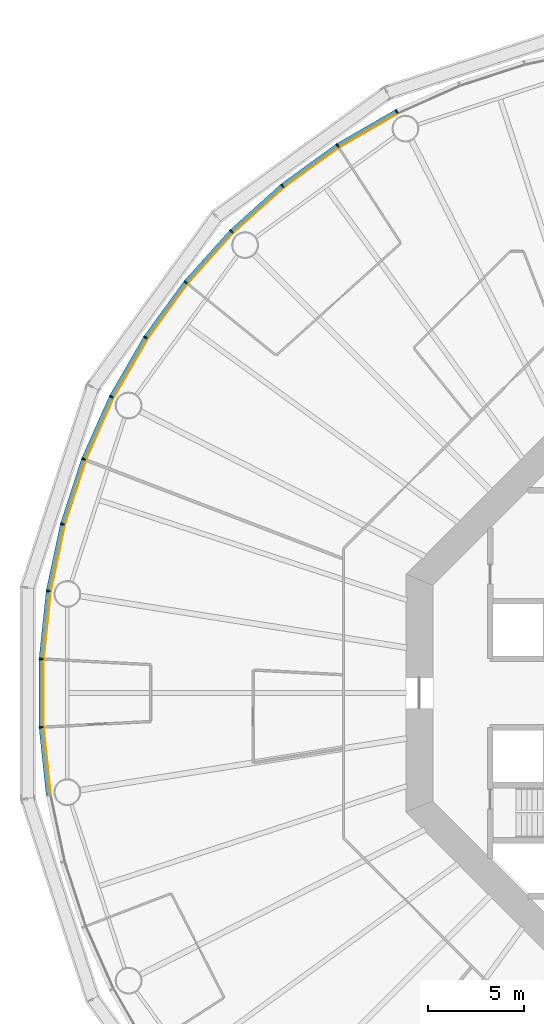
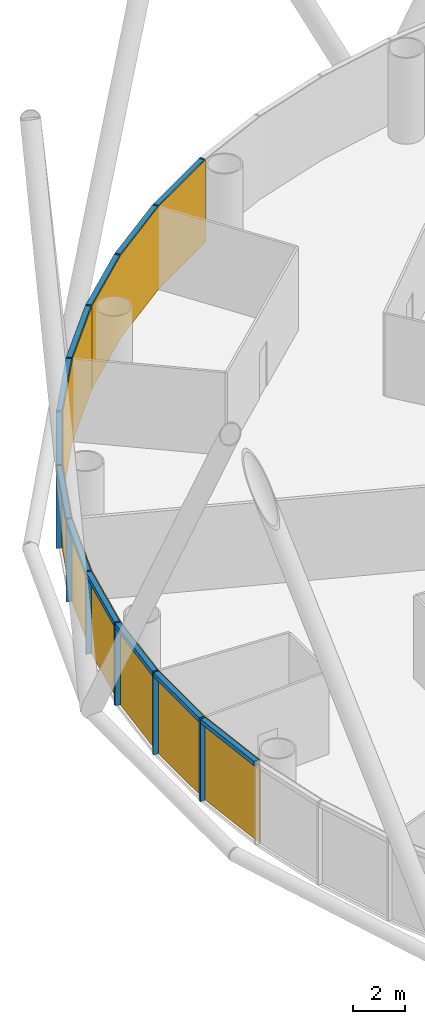
# One storey, part 9 of 13: 24 members, 4 curtain walls.
"""IFC4 building model written with IfcOpenShell, lengths in metres."""

from ifc_helpers import new_model, si_unit, direction, frame, origin, origin_2d, place, context, subcontext, project, spatial, polyline, rectangle, outline, extrude, material, layer, layer_set, material_profile, profile_set, type_object, element, aggregate, save


model = new_model("IFC4")

# Units and contexts
model_context = context("Model", 3, precision=1e-05, world=origin(), true_north=direction((0.0, 1.0)))
body_context = subcontext(model_context, "Body", "Model", "MODEL_VIEW")
ifc_project = project(units=[si_unit("LENGTHUNIT", "METRE"), si_unit("AREAUNIT", "SQUARE_METRE"), si_unit("VOLUMEUNIT", "CUBIC_METRE"), si_unit("PLANEANGLEUNIT", "RADIAN"), si_unit("MASSUNIT", "GRAM", prefix="KILO")], contexts=[model_context])

# Member
ifc_material_1 = material(Name="Anodised aluminium", Category="aluminium")
ifc_material_profile_1 = material_profile(ifc_material_1, rectangle(XDim=0.074951171875, YDim=0.219970703125, at=origin_2d()), Name="Mullion 75 x 220 mm anodised aluminium")
ifc_profile_set_1 = profile_set([ifc_material_profile_1], Name="Anodised aluminium")
member_type_1 = type_object("IfcMemberType", Name="Mullion 75 x 220 mm anodised aluminium", PredefinedType="MULLION", material=ifc_profile_set_1)
site_placement = place(None, origin())
building_placement = place(site_placement, origin())
storey_placement = place(building_placement, frame((0.0, 0.0, 54.0)))
member_1_placement = place(storey_placement, frame((74.514404296875, 110.392333984375, 0.0), z_axis=(0.0, 0.0, 1.0), x_axis=(-0.891006524188, -0.45399049974, 0.0)))
member_1 = element("IfcMember", 1, at=member_1_placement, type_object=member_type_1, Name="MULLION L11-18", PredefinedType="MULLION", context=body_context, shape_type="SweptSolid", body=[
    extrude(rectangle(XDim=0.074951171875, YDim=0.219970703125, at=origin_2d()), origin(), (0.0, 0.0, 1.0), 3.85009765625),
])

member_2_placement = place(storey_placement, frame((71.42236328125, 108.60693359375, 0.0), z_axis=(0.0, 0.0, 1.0), x_axis=(-0.838670567945, -0.544639035015, 0.0)))
member_2 = element("IfcMember", 2, at=member_2_placement, type_object=member_type_1, Name="MULLION L11-19", PredefinedType="MULLION", context=body_context, shape_type="SweptSolid", body=[
    extrude(rectangle(XDim=0.074951171875, YDim=0.219970703125, at=origin_2d()), origin(), (0.0, 0.0, 1.0), 3.85009765625),
])

member_3_placement = place(storey_placement, frame((68.533935546875, 106.508544921875, 0.0), z_axis=(0.0, 0.0, 1.0), x_axis=(-0.777145961457, -0.62932039105, 0.0)))
member_3 = element("IfcMember", 3, at=member_3_placement, type_object=member_type_1, Name="MULLION L11-20", PredefinedType="MULLION", context=body_context, shape_type="SweptSolid", body=[
    extrude(rectangle(XDim=0.074951171875, YDim=0.219970703125, at=origin_2d()), origin(), (0.0, 0.0, 1.0), 3.85009765625),
])

member_4_placement = place(storey_placement, frame((65.880615234375, 104.119384765625, 0.0), z_axis=(0.0, 0.0, 1.0), x_axis=(-0.707106781187, -0.707106781187, 0.0)))
member_4 = element("IfcMember", 4, at=member_4_placement, type_object=member_type_1, Name="MULLION L11-21", PredefinedType="MULLION", context=body_context, shape_type="SweptSolid", body=[
    extrude(rectangle(XDim=0.074951171875, YDim=0.219970703125, at=origin_2d()), origin(), (0.0, 0.0, 1.0), 3.85009765625),
])

member_5_placement = place(storey_placement, frame((63.491455078125, 101.466064453125, 0.0), z_axis=(0.0, 0.0, 1.0), x_axis=(-0.62932039105, -0.777145961457, 0.0)))
member_5 = element("IfcMember", 5, at=member_5_placement, type_object=member_type_1, Name="MULLION L11-22", PredefinedType="MULLION", context=body_context, shape_type="SweptSolid", body=[
    extrude(rectangle(XDim=0.074951171875, YDim=0.219970703125, at=origin_2d()), origin(), (0.0, 0.0, 1.0), 3.85009765625),
])

member_6_placement = place(storey_placement, frame((61.39306640625, 98.57763671875, 0.0), z_axis=(0.0, 0.0, 1.0), x_axis=(-0.544639035015, -0.838670567945, 0.0)))
member_6 = element("IfcMember", 6, at=member_6_placement, type_object=member_type_1, Name="MULLION L11-23", PredefinedType="MULLION", context=body_context, shape_type="SweptSolid", body=[
    extrude(rectangle(XDim=0.074951171875, YDim=0.219970703125, at=origin_2d()), origin(), (0.0, 0.0, 1.0), 3.85009765625),
])

member_7_placement = place(storey_placement, frame((59.607666015625, 95.485595703125, 0.0), z_axis=(0.0, 0.0, 1.0), x_axis=(-0.45399049974, -0.891006524188, 0.0)))
member_7 = element("IfcMember", 7, at=member_7_placement, type_object=member_type_1, Name="MULLION L11-24", PredefinedType="MULLION", context=body_context, shape_type="SweptSolid", body=[
    extrude(rectangle(XDim=0.074951171875, YDim=0.219970703125, at=origin_2d()), origin(), (0.0, 0.0, 1.0), 3.85009765625),
])

member_8_placement = place(storey_placement, frame((58.155517578125, 92.223876953125, 0.0), z_axis=(0.0, 0.0, 1.0), x_axis=(-0.358367949545, -0.933580426497, 0.0)))
member_8 = element("IfcMember", 8, at=member_8_placement, type_object=member_type_1, Name="MULLION L11-25", PredefinedType="MULLION", context=body_context, shape_type="SweptSolid", body=[
    extrude(rectangle(XDim=0.074951171875, YDim=0.219970703125, at=origin_2d()), origin(), (0.0, 0.0, 1.0), 3.85009765625),
])

member_9_placement = place(storey_placement, frame((57.05224609375, 88.828369140625, 0.0), z_axis=(0.0, 0.0, 1.0), x_axis=(-0.258819045103, -0.965925826289, 0.0)))
member_9 = element("IfcMember", 9, at=member_9_placement, type_object=member_type_1, Name="MULLION L11-26", PredefinedType="MULLION", context=body_context, shape_type="SweptSolid", body=[
    extrude(rectangle(XDim=0.074951171875, YDim=0.219970703125, at=origin_2d()), origin(), (0.0, 0.0, 1.0), 3.85009765625),
])

member_10_placement = place(storey_placement, frame((56.31005859375, 85.3359375, 0.0), z_axis=(0.0, 0.0, 1.0), x_axis=(-0.15643446504, -0.987688340595, 0.0)))
member_10 = element("IfcMember", 10, at=member_10_placement, type_object=member_type_1, Name="MULLION L11-27", PredefinedType="MULLION", context=body_context, shape_type="SweptSolid", body=[
    extrude(rectangle(XDim=0.074951171875, YDim=0.219970703125, at=origin_2d()), origin(), (0.0, 0.0, 1.0), 3.85009765625),
])

member_11_placement = place(storey_placement, frame((55.936767578125, 81.78515625, 0.0), z_axis=(0.0, 0.0, 1.0), x_axis=(-0.052335956243, -0.998629534755, 0.0)))
member_11 = element("IfcMember", 11, at=member_11_placement, type_object=member_type_1, Name="MULLION L11-28", PredefinedType="MULLION", context=body_context, shape_type="SweptSolid", body=[
    extrude(rectangle(XDim=0.074951171875, YDim=0.219970703125, at=origin_2d()), origin(), (0.0, 0.0, 1.0), 3.85009765625),
])

member_12_placement = place(storey_placement, frame((55.936767578125, 78.21484375, 0.0), z_axis=(0.0, 0.0, 1.0), x_axis=(0.052335956243, -0.998629534755, 0.0)))
member_12 = element("IfcMember", 12, at=member_12_placement, type_object=member_type_1, Name="MULLION L11-29", PredefinedType="MULLION", context=body_context, shape_type="SweptSolid", body=[
    extrude(rectangle(XDim=0.074951171875, YDim=0.219970703125, at=origin_2d()), origin(), (0.0, 0.0, 1.0), 3.85009765625),
])

ifc_material_2 = material(Name="Anodised aluminium", Category="aluminium")
ifc_material_profile_2 = material_profile(ifc_material_2, rectangle(XDim=0.219970703125, YDim=0.199951171875, at=origin_2d()), Name="Transom 200 x 220 mm anodised aluminium")
ifc_profile_set_2 = profile_set([ifc_material_profile_2], Name="Anodised aluminium")
member_type_2 = type_object("IfcMemberType", Name="Transom 200 x 220 mm anodised aluminium", PredefinedType="USERDEFINED", material=ifc_profile_set_2)
member_13_placement = place(storey_placement, frame((74.476806640625, 110.370849609375, 3.75), z_axis=(-0.866022206254, -0.500005538244, 0.0), x_axis=(0.500005538244, -0.866022206254, 0.0)))
member_13 = element("IfcMember", 13, at=member_13_placement, type_object=member_type_2, Name="TRANSOM L11-18", ObjectType="TRANSOM", PredefinedType="USERDEFINED", context=body_context, shape_type="SweptSolid", body=[
    extrude(rectangle(XDim=0.219970703125, YDim=0.199951171875, at=origin_2d()), origin(), (0.0, 0.0, 1.0), 3.48388671875),
])

member_14_placement = place(storey_placement, frame((71.38720703125, 108.581787109375, 3.75), z_axis=(-0.80899056535, -0.587821627006, 0.0), x_axis=(0.587821627006, -0.80899056535, 0.0)))
member_14 = element("IfcMember", 14, at=member_14_placement, type_object=member_type_2, Name="TRANSOM L11-19", ObjectType="TRANSOM", PredefinedType="USERDEFINED", context=body_context, shape_type="SweptSolid", body=[
    extrude(rectangle(XDim=0.219970703125, YDim=0.199951171875, at=origin_2d()), origin(), (0.0, 0.0, 1.0), 3.48388671875),
])

member_15_placement = place(storey_placement, frame((68.501708984375, 106.479736328125, 3.75), z_axis=(-0.743137329876, -0.669138930974, 0.0), x_axis=(0.669138930974, -0.743137329876, 0.0)))
member_15 = element("IfcMember", 15, at=member_15_placement, type_object=member_type_2, Name="TRANSOM L11-20", ObjectType="TRANSOM", PredefinedType="USERDEFINED", context=body_context, shape_type="SweptSolid", body=[
    extrude(rectangle(XDim=0.219970703125, YDim=0.199951171875, at=origin_2d()), origin(), (0.0, 0.0, 1.0), 3.484130859375),
])

member_16_placement = place(storey_placement, frame((65.8515625, 104.08740234375, 3.75), z_axis=(-0.669138930974, -0.743137329876, 0.0), x_axis=(0.743137329876, -0.669138930974, 0.0)))
member_16 = element("IfcMember", 16, at=member_16_placement, type_object=member_type_2, Name="TRANSOM L11-21", ObjectType="TRANSOM", PredefinedType="USERDEFINED", context=body_context, shape_type="SweptSolid", body=[
    extrude(rectangle(XDim=0.219970703125, YDim=0.199951171875, at=origin_2d()), origin(), (0.0, 0.0, 1.0), 3.484130859375),
])

member_17_placement = place(storey_placement, frame((63.466064453125, 101.43115234375, 3.75), z_axis=(-0.587821627006, -0.80899056535, 0.0), x_axis=(0.80899056535, -0.587821627006, 0.0)))
member_17 = element("IfcMember", 17, at=member_17_placement, type_object=member_type_2, Name="TRANSOM L11-22", ObjectType="TRANSOM", PredefinedType="USERDEFINED", context=body_context, shape_type="SweptSolid", body=[
    extrude(rectangle(XDim=0.219970703125, YDim=0.199951171875, at=origin_2d()), origin(), (0.0, 0.0, 1.0), 3.48388671875),
])

member_18_placement = place(storey_placement, frame((61.37109375, 98.540283203125, 3.75), z_axis=(-0.500005538244, -0.866022206254, 0.0), x_axis=(0.866022206254, -0.500005538244, 0.0)))
member_18 = element("IfcMember", 18, at=member_18_placement, type_object=member_type_2, Name="TRANSOM L11-23", ObjectType="TRANSOM", PredefinedType="USERDEFINED", context=body_context, shape_type="SweptSolid", body=[
    extrude(rectangle(XDim=0.219970703125, YDim=0.199951171875, at=origin_2d()), origin(), (0.0, 0.0, 1.0), 3.48388671875),
])

member_19_placement = place(storey_placement, frame((59.590087890625, 95.446044921875, 3.75), z_axis=(-0.406736576304, -0.913545487371, 0.0), x_axis=(0.913545487371, -0.406736576304, 0.0)))
member_19 = element("IfcMember", 19, at=member_19_placement, type_object=member_type_2, Name="TRANSOM L11-24", ObjectType="TRANSOM", PredefinedType="USERDEFINED", context=body_context, shape_type="SweptSolid", body=[
    extrude(rectangle(XDim=0.219970703125, YDim=0.199951171875, at=origin_2d()), origin(), (0.0, 0.0, 1.0), 3.48388671875),
])

member_20_placement = place(storey_placement, frame((58.14208984375, 92.182861328125, 3.75), z_axis=(-0.309029029702, -0.951052605696, 0.0), x_axis=(0.951052605696, -0.309029029702, 0.0)))
member_20 = element("IfcMember", 20, at=member_20_placement, type_object=member_type_2, Name="TRANSOM L11-25", ObjectType="TRANSOM", PredefinedType="USERDEFINED", context=body_context, shape_type="SweptSolid", body=[
    extrude(rectangle(XDim=0.219970703125, YDim=0.199951171875, at=origin_2d()), origin(), (0.0, 0.0, 1.0), 3.484130859375),
])

member_21_placement = place(storey_placement, frame((57.043212890625, 88.7861328125, 3.75), z_axis=(-0.207920776701, -0.978145669426, 0.0), x_axis=(0.978145669426, -0.207920776701, 0.0)))
member_21 = element("IfcMember", 21, at=member_21_placement, type_object=member_type_2, Name="TRANSOM L11-26", ObjectType="TRANSOM", PredefinedType="USERDEFINED", context=body_context, shape_type="SweptSolid", body=[
    extrude(rectangle(XDim=0.219970703125, YDim=0.199951171875, at=origin_2d()), origin(), (0.0, 0.0, 1.0), 3.48388671875),
])

member_22_placement = place(storey_placement, frame((56.30517578125, 85.29296875, 3.75), z_axis=(-0.104484152234, -0.994526551648, 0.0), x_axis=(0.994526551648, -0.104484152234, 0.0)))
member_22 = element("IfcMember", 22, at=member_22_placement, type_object=member_type_2, Name="TRANSOM L11-27", ObjectType="TRANSOM", PredefinedType="USERDEFINED", context=body_context, shape_type="SweptSolid", body=[
    extrude(rectangle(XDim=0.219970703125, YDim=0.199951171875, at=origin_2d()), origin(), (0.0, 0.0, 1.0), 3.48388671875),
])

member_23_placement = place(storey_placement, frame((55.9365234375, 81.741943359375, 3.75), z_axis=(0.0, -1.0, 0.0), x_axis=(1.0, 0.0, 0.0)))
member_23 = element("IfcMember", 23, at=member_23_placement, type_object=member_type_2, Name="TRANSOM L11-28", ObjectType="TRANSOM", PredefinedType="USERDEFINED", context=body_context, shape_type="SweptSolid", body=[
    extrude(rectangle(XDim=0.219970703125, YDim=0.199951171875, at=origin_2d()), origin(), (0.0, 0.0, 1.0), 3.48388671875),
])

member_24_placement = place(storey_placement, frame((55.941162109375, 78.171875, 3.75), z_axis=(0.104484152234, -0.994526551648, 0.0), x_axis=(0.994526551648, 0.104484152234, 0.0)))
member_24 = element("IfcMember", 24, at=member_24_placement, type_object=member_type_2, Name="TRANSOM L11-29", ObjectType="TRANSOM", PredefinedType="USERDEFINED", context=body_context, shape_type="SweptSolid", body=[
    extrude(rectangle(XDim=0.219970703125, YDim=0.199951171875, at=origin_2d()), origin(), (0.0, 0.0, 1.0), 3.48388671875),
])

# Site, building, storey
site = spatial("IfcSite", under=ifc_project, at=site_placement, CompositionType="ELEMENT")
building = spatial("IfcBuilding", under=site, at=building_placement, Name="Entoto Ring Tower", CompositionType="ELEMENT")
storey = spatial("IfcBuildingStorey", under=building, at=storey_placement, Name="L11", CompositionType="ELEMENT", Elevation=54.0)

# Curtain wall
ifc_material_3 = material(Name="Clear low-iron glass", Category="glass")
ifc_layer = layer(ifc_material_3, 0.0400390625)
ifc_layer_set = layer_set([ifc_layer], Name="Clear low-iron glass")
curtain_wall_type = type_object("IfcCurtainWallType", Name="Curtain wall system CW1 glazing 40 mm", PredefinedType="NOTDEFINED", material=ifc_layer_set)
curtain_wall_1_placement = place(storey_placement, origin())
curtain_wall_1 = element("IfcCurtainWall", 25, at=curtain_wall_1_placement, inside=storey, type_object=curtain_wall_type, Name="CW1 L11-07", PredefinedType="NOTDEFINED", context=body_context, shape_type="SweptSolid", body=[
    extrude(outline(polyline([(74.564208984375, 110.294189453125), (71.482177734375, 108.514892578125), (68.60302734375, 106.4228515625), (65.958251953125, 104.041748046875), (65.986572265625, 104.013427734375), (68.62841796875, 106.391845703125), (71.504150390625, 108.481201171875), (74.58251953125, 110.258544921875), (74.564208984375, 110.294189453125)])), origin(), (0.0, 0.0, 1.0), 3.85009765625),
])

aggregate(curtain_wall_1, [member_1, member_2, member_3, member_13, member_14, member_15])

curtain_wall_2_placement = place(storey_placement, origin())
curtain_wall_2 = element("IfcCurtainWall", 26, at=curtain_wall_2_placement, inside=storey, type_object=curtain_wall_type, Name="CW1 L11-08", PredefinedType="NOTDEFINED", context=body_context, shape_type="SweptSolid", body=[
    extrude(outline(polyline([(65.958251953125, 104.041748046875), (63.5771484375, 101.39697265625), (61.485107421875, 98.517822265625), (59.705810546875, 95.435791015625), (59.741455078125, 95.41748046875), (61.518798828125, 98.495849609375), (63.608154296875, 101.37158203125), (65.986572265625, 104.013427734375), (65.958251953125, 104.041748046875)])), origin(), (0.0, 0.0, 1.0), 3.85009765625),
])

aggregate(curtain_wall_2, [member_4, member_5, member_6, member_16, member_17, member_18])

curtain_wall_3_placement = place(storey_placement, origin())
curtain_wall_3 = element("IfcCurtainWall", 27, at=curtain_wall_3_placement, inside=storey, type_object=curtain_wall_type, Name="CW1 L11-09", PredefinedType="NOTDEFINED", context=body_context, shape_type="SweptSolid", body=[
    extrude(outline(polyline([(59.705810546875, 95.435791015625), (58.25830078125, 92.1845703125), (57.158447265625, 88.7998046875), (56.418701171875, 85.31884765625), (56.458251953125, 85.3125), (57.197265625, 88.78955078125), (58.295654296875, 92.170166015625), (59.741455078125, 95.41748046875), (59.705810546875, 95.435791015625)])), origin(), (0.0, 0.0, 1.0), 3.85009765625),
])

aggregate(curtain_wall_3, [member_7, member_8, member_9, member_19, member_20, member_21])

curtain_wall_4_placement = place(storey_placement, origin())
curtain_wall_4 = element("IfcCurtainWall", 28, at=curtain_wall_4_placement, inside=storey, type_object=curtain_wall_type, Name="CW1 L11-10", PredefinedType="NOTDEFINED", context=body_context, shape_type="SweptSolid", body=[
    extrude(outline(polyline([(56.418701171875, 85.31884765625), (56.046630859375, 81.779541015625), (56.046630859375, 78.220458984375), (56.418701171875, 74.68115234375), (56.458251953125, 74.6875), (56.086669921875, 78.22265625), (56.086669921875, 81.77734375), (56.458251953125, 85.3125), (56.418701171875, 85.31884765625)])), origin(), (0.0, 0.0, 1.0), 3.85009765625),
])

aggregate(curtain_wall_4, [member_10, member_11, member_12, member_22, member_23, member_24])

save(model, "model.ifc")
